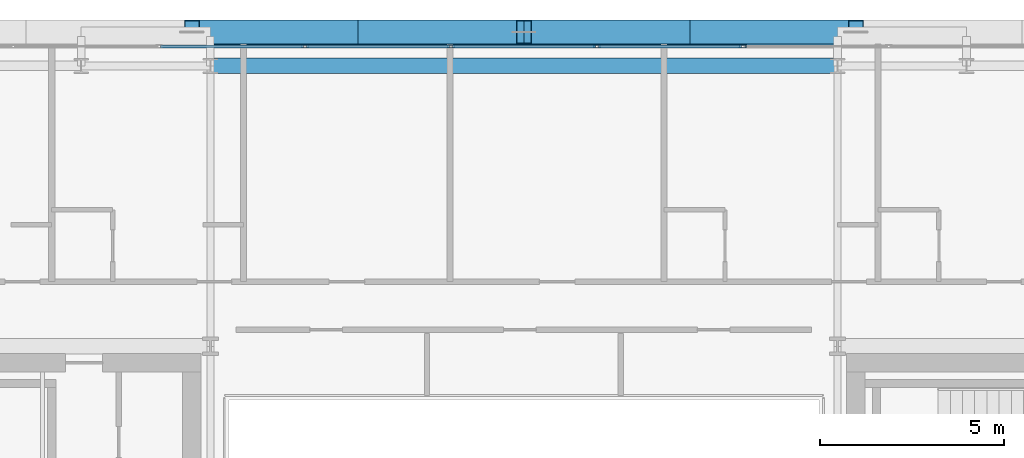
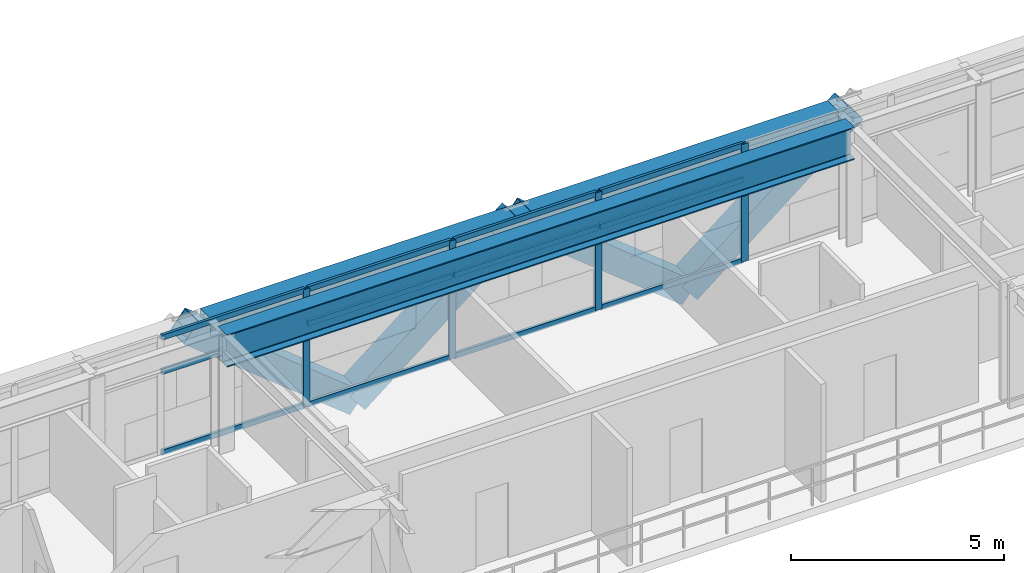
# One storey, part 17 of 32: 20 members, 2 beams, 1 element without a shape of its own.
"""IFC4 building model written with IfcOpenShell, lengths in metres."""

import ifcopenshell
import ifcopenshell.guid

model = None  # the IFC model being written
_history = None  # IfcOwnerHistory: only IFC2X3 demands one
_inside = {}  # id of a spatial element -> (the spatial element, [elements in it])
_under = {}  # id of a project, library or spatial element -> (it, [spatial elements below it])
_declared = {}  # id of a project -> (the project, [libraries it declares])
_typed = {}  # id of a type object -> (the type object, [elements of that type])
_made_of = {}  # id of a material, layer set ... -> (it, [elements and type objects made of it])


def new_model(schema):
    """Start an empty IFC model of exactly this schema.

    Asked for "IFC4X3", IfcOpenShell would pick the latest addendum, in which some entities
    have other attributes; the version numbers below select the first issue.
    IFC2X3 requires an IfcOwnerHistory on every rooted entity: one is made here for all.
    """
    global model, _history
    if schema == "IFC4X3":
        model = ifcopenshell.file(schema_version=(4, 3, 0, 0))
    else:
        model = ifcopenshell.file(schema=schema)
    _inside.clear()
    _under.clear()
    _declared.clear()
    _typed.clear()
    _made_of.clear()
    _history = None
    if model.schema == "IFC2X3":
        org = make("IfcOrganization", Name="unknown")
        user = make(
            "IfcPersonAndOrganization",
            ThePerson=make("IfcPerson", FamilyName="unknown"),
            TheOrganization=org,
        )
        app = make(
            "IfcApplication",
            ApplicationDeveloper=org,
            Version="unknown",
            ApplicationFullName="unknown",
            ApplicationIdentifier="unknown",
        )
        _history = make(
            "IfcOwnerHistory",
            OwningUser=user,
            OwningApplication=app,
            ChangeAction="ADDED",
            CreationDate=0,
        )
    return model


def make(cls, **values):
    """One entity of the class cls with the attributes given. An attribute that is None is left unset."""
    return model.create_entity(
        cls, **{name: value for name, value in values.items() if value is not None}
    )


def rooted(cls, **values):
    """An entity with a GlobalId (a new one), such as an element, a storey or a relation."""
    return make(cls, GlobalId=ifcopenshell.guid.new(), OwnerHistory=_history, **values)


def si_unit(unit_type, name, prefix=None):
    """IfcSIUnit, for example si_unit("LENGTHUNIT", "METRE", prefix="MILLI")."""
    return make("IfcSIUnit", UnitType=unit_type, Prefix=prefix, Name=name)


def assignment(units):
    """IfcUnitAssignment: the units of a project."""
    return None if units is None else make("IfcUnitAssignment", Units=units)


def point(xyz):
    """IfcCartesianPoint."""
    return None if xyz is None else make("IfcCartesianPoint", Coordinates=xyz)


def direction(xyz):
    """IfcDirection."""
    return None if xyz is None else make("IfcDirection", DirectionRatios=xyz)


def frame(location, z_axis=None, x_axis=None):
    """IfcAxis2Placement3D, a coordinate frame: its origin and axes. An axis left out is left unset."""
    return make(
        "IfcAxis2Placement3D",
        Location=point(location),
        Axis=direction(z_axis),
        RefDirection=direction(x_axis),
    )


def frame_2d(location, x_axis=None):
    """IfcAxis2Placement2D, a coordinate frame in the plane: its origin and x axis."""
    return make(
        "IfcAxis2Placement2D", Location=point(location), RefDirection=direction(x_axis)
    )


def origin():
    """The frame at (0, 0, 0) with its axes left unset."""
    return frame((0.0, 0.0, 0.0))


def origin_2d():
    """The frame at (0, 0) in the plane with its x axis left unset."""
    return frame_2d((0.0, 0.0))


def place(relative_to, where):
    """IfcLocalPlacement: puts the frame where relative to a parent placement (None: the world)."""
    return make(
        "IfcLocalPlacement", PlacementRelTo=relative_to, RelativePlacement=where
    )


def context(
    kind, dimensions, precision=None, world=None, true_north=None, identifier=None
):
    """IfcGeometricRepresentationContext, for example the 3D "Model" context."""
    return make(
        "IfcGeometricRepresentationContext",
        ContextIdentifier=identifier,
        ContextType=kind,
        CoordinateSpaceDimension=dimensions,
        Precision=precision,
        WorldCoordinateSystem=world,
        TrueNorth=true_north,
    )


def subcontext(parent, identifier, kind, view, scale=None):
    """IfcGeometricRepresentationSubContext, for example "Body" below "Model"."""
    return make(
        "IfcGeometricRepresentationSubContext",
        ContextIdentifier=identifier,
        ContextType=kind,
        ParentContext=parent,
        TargetScale=scale,
        TargetView=view,
    )


def project(units=None, contexts=None):
    """IfcProject with its units and contexts."""
    return rooted(
        "IfcProject",
        Name="project",
        RepresentationContexts=contexts,
        UnitsInContext=assignment(units),
    )


def spatial(cls, under=None, at=None, **own):
    """A site, building, storey or space (cls), placed at a placement, below another one or the project."""
    s = rooted(cls, ObjectPlacement=at, **own)
    if under is not None:
        _under.setdefault(under.id(), (under, []))[1].append(s)
    return s


def profile(cls, at=None, kind="AREA", **sizes):
    """A parametric profile (cls). Its sizes go by their IFC names, for example OverallWidth=200.0."""
    return make(cls, ProfileType=kind, Position=at, **sizes)


def hollow_rectangle(**sizes):
    """IfcRectangleHollowProfileDef."""
    return profile("IfcRectangleHollowProfileDef", **sizes)


def i_section(**sizes):
    """IfcIShapeProfileDef."""
    return profile("IfcIShapeProfileDef", **sizes)


def extrude(swept, where, along, depth):
    """IfcExtrudedAreaSolid: the profile swept, set in the frame where, extruded along a direction by depth."""
    return make(
        "IfcExtrudedAreaSolid",
        SweptArea=swept,
        Position=where,
        ExtrudedDirection=direction(along),
        Depth=depth,
    )


def shape(context_of_items, identifier, shape_type, items):
    """IfcShapeRepresentation: the items that make up one representation, for example the "Body"."""
    return make(
        "IfcShapeRepresentation",
        ContextOfItems=context_of_items,
        RepresentationIdentifier=identifier,
        RepresentationType=shape_type,
        Items=items,
    )


def source(mapping_origin, context_of_items, identifier, shape_type, items):
    """IfcRepresentationMap: a shape defined once, which mapped items show again and again."""
    return make(
        "IfcRepresentationMap",
        MappingOrigin=mapping_origin,
        MappedRepresentation=shape(context_of_items, identifier, shape_type, items),
    )


def transform(
    local_origin,
    x_axis=None,
    y_axis=None,
    z_axis=None,
    scale=None,
    scale2=None,
    scale3=None,
    uniform=True,
):
    """IfcCartesianTransformationOperator3D, or its non-uniform kind. x_axis, y_axis, z_axis: its Axis1, 2, 3."""
    if uniform:
        return make(
            "IfcCartesianTransformationOperator3D",
            Axis1=direction(x_axis),
            Axis2=direction(y_axis),
            LocalOrigin=point(local_origin),
            Scale=scale,
            Axis3=direction(z_axis),
        )
    return make(
        "IfcCartesianTransformationOperator3DnonUniform",
        Axis1=direction(x_axis),
        Axis2=direction(y_axis),
        LocalOrigin=point(local_origin),
        Scale=scale,
        Axis3=direction(z_axis),
        Scale2=scale2,
        Scale3=scale3,
    )


def mapped(mapping_source, mapping_target):
    """IfcMappedItem: shows the shape of a source again, moved by a transform."""
    return make(
        "IfcMappedItem", MappingSource=mapping_source, MappingTarget=mapping_target
    )


def material(Name=None, Category=None):
    """IfcMaterial."""
    return make("IfcMaterial", Name=Name, Category=Category)


def layer(
    of_material, thickness, ventilated=None, Name=None, Category=None, Priority=None
):
    """IfcMaterialLayer: one layer of a wall or slab, of a material (None: an air gap)."""
    return make(
        "IfcMaterialLayer",
        Material=of_material,
        LayerThickness=thickness,
        IsVentilated=ventilated,
        Name=Name,
        Category=Category,
        Priority=Priority,
    )


def layer_set(layers, Name=None):
    """IfcMaterialLayerSet."""
    return make("IfcMaterialLayerSet", MaterialLayers=layers, LayerSetName=Name)


def material_profile(
    of_material, cross_section, Name=None, Category=None, Priority=None
):
    """IfcMaterialProfile: a cross section and its material."""
    return make(
        "IfcMaterialProfile",
        Name=Name,
        Material=of_material,
        Profile=cross_section,
        Priority=Priority,
        Category=Category,
    )


def profile_set(profiles, Name=None, composite=None):
    """IfcMaterialProfileSet."""
    return make(
        "IfcMaterialProfileSet",
        Name=Name,
        MaterialProfiles=profiles,
        CompositeProfile=composite,
    )


def made_of(thing, what):
    """Note that an element or type object is made of a material, layer set ...; save() writes the relation."""
    if what is not None:
        _made_of.setdefault(what.id(), (what, []))[1].append(thing)
    return thing


def type_object(cls, material=None, **own):
    """A type object (cls), such as IfcWallType, which elements share."""
    return made_of(rooted(cls, **own), material)


def element(
    cls,
    number,
    at=None,
    inside=None,
    cuts=None,
    type_object=None,
    material=None,
    context=None,
    identifier="Body",
    shape_type=None,
    held_by="IfcProductDefinitionShape",
    body=None,
    shapes=None,
    **own,
):
    """One element of the class cls, such as IfcWall. Its Tag is "e" and its number.

    at: its placement. inside: the storey or other place that contains it. cuts: it is an
    opening in that element (IfcRelVoidsElement). A single representation is given by context,
    identifier, shape_type and body (its items); several are given by shapes. held_by: the class
    of the entity that holds the representations. save() writes the other relations.
    """
    e = rooted(cls, Tag="e%d" % number, ObjectPlacement=at, **own)
    if body is not None:
        shapes = [shape(context, identifier, shape_type, body)]
    if shapes is not None:
        e.Representation = make(held_by, Representations=shapes)
    if inside is not None:
        _inside.setdefault(inside.id(), (inside, []))[1].append(e)
    if cuts is not None:
        rooted(
            "IfcRelVoidsElement", RelatingBuildingElement=cuts, RelatedOpeningElement=e
        )
    if type_object is not None:
        _typed.setdefault(type_object.id(), (type_object, []))[1].append(e)
    return made_of(e, material)


def aggregate(whole, parts):
    """IfcRelAggregates: a whole, such as a stair, and the parts it consists of."""
    return rooted("IfcRelAggregates", RelatingObject=whole, RelatedObjects=parts)


def save(model, path):
    """Write the relations noted so far, then the file.

    IfcRelAggregates (storeys below a building ...), IfcRelContainedInSpatialStructure (elements
    in a storey), IfcRelDefinesByType, IfcRelAssociatesMaterial and IfcRelDeclares: one each for
    every whole, place, type object, material and project.
    """
    for whole, parts in _under.values():
        aggregate(whole, parts)
    for where, things in _inside.values():
        rooted(
            "IfcRelContainedInSpatialStructure",
            RelatedElements=things,
            RelatingStructure=where,
        )
    for kind, things in _typed.values():
        rooted("IfcRelDefinesByType", RelatedObjects=things, RelatingType=kind)
    for what, things in _made_of.values():
        rooted("IfcRelAssociatesMaterial", RelatedObjects=things, RelatingMaterial=what)
    for by, libraries in _declared.values():
        rooted("IfcRelDeclares", RelatingContext=by, RelatedDefinitions=libraries)
    model.write(path)


model = new_model("IFC4")

# Units and contexts
model_context = context("Model", 3, precision=1e-05, world=origin(), true_north=direction((0.0, 1.0)))
body_context = subcontext(model_context, "Body", "Model", "MODEL_VIEW")
ifc_project = project(units=[si_unit("LENGTHUNIT", "METRE"), si_unit("AREAUNIT", "SQUARE_METRE"), si_unit("VOLUMEUNIT", "CUBIC_METRE"), si_unit("PLANEANGLEUNIT", "RADIAN"), si_unit("MASSUNIT", "GRAM", prefix="KILO")], contexts=[model_context])

# Site, building, storey
site_placement = place(None, origin())
site = spatial("IfcSite", under=ifc_project, at=site_placement, CompositionType="ELEMENT")
building_placement = place(site_placement, origin())
building = spatial("IfcBuilding", under=site, at=building_placement, Name="Ocotamira Hotel", CompositionType="ELEMENT")
storey_placement = place(building_placement, frame((0.0, 0.0, 184.800048828125)))
storey = spatial("IfcBuildingStorey", under=building, at=storey_placement, Name="L46", CompositionType="ELEMENT", Elevation=184.800048828125)

# Beams
ifc_material_1 = material(Name="Steel ASTM A992 Grade 50", Category="steel")
ifc_material_profile_1 = material_profile(ifc_material_1, i_section(OverallWidth=0.41796875, OverallDepth=0.927001953125, WebThickness=0.019287109375, FlangeThickness=0.031982421875, FilletRadius=0.02392578125, at=origin_2d()), Name="W36X231")
ifc_profile_set_1 = profile_set([ifc_material_profile_1], Name="Steel ASTM A992 Grade 50")
beam_type_1 = type_object("IfcBeamType", Name="BM-GIRD-W36X231", PredefinedType="BEAM", material=ifc_profile_set_1)
shared_shape_1 = source(origin(), body_context, "Body", "SweptSolid", [
    extrude(i_section(OverallWidth=0.41796875, OverallDepth=0.927001953125, WebThickness=0.019287109375, FlangeThickness=0.031982421875, FilletRadius=0.02392578125, at=origin_2d()), origin(), (0.0, 0.0, 1.0), 17.0),
])
beam_1_placement = place(storey_placement, frame((23.5, 45.050048828125, 2.906494140625), z_axis=(1.0, 0.0, 0.0), x_axis=(0.0, 1.0, 0.0)))
element("IfcBeam", 1, at=beam_1_placement, inside=storey, type_object=beam_type_1, Name="L46 Girder Y45.05 X23.5-40.5", PredefinedType="BEAM", context=body_context, shape_type="MappedRepresentation", body=[
    mapped(shared_shape_1, transform((0.0, 0.0, 0.0), scale=1.0)),
])
ifc_material_2 = material(Name="Steel ASTM A500 Grade C", Category="steel")
ifc_material_profile_2 = material_profile(ifc_material_2, hollow_rectangle(XDim=0.5, YDim=0.5, WallThickness=0.02001953125, at=origin_2d()), Name="HSS500X500X20")
ifc_profile_set_2 = profile_set([ifc_material_profile_2], Name="Steel ASTM A500 Grade C")
beam_type_2 = type_object("IfcBeamType", Name="BM-SPAN-HSS500", PredefinedType="USERDEFINED", material=ifc_profile_set_2)
shared_shape_2 = source(origin(), body_context, "Body", "SweptSolid", [
    extrude(hollow_rectangle(XDim=0.5, YDim=0.5, WallThickness=0.02001953125, at=origin_2d()), origin(), (0.0, 0.0, 1.0), 17.0),
])
beam_2_placement = place(storey_placement, frame((23.5, 45.85009765625, 3.119873046875), z_axis=(1.0, 0.0, 0.0), x_axis=(0.0, 1.0, 0.0)))
element("IfcBeam", 2, at=beam_2_placement, inside=storey, type_object=beam_type_2, Name="L46 Edge Spandrel N X23.5-40.5", ObjectType="SPANDREL", PredefinedType="USERDEFINED", context=body_context, shape_type="MappedRepresentation", body=[
    mapped(shared_shape_2, transform((0.0, 0.0, 0.0), scale=1.0)),
])

# Members
ifc_material_3 = material(Name="Pale-metal coated steel ASTM A913 Grade 65", Category="steel")
ifc_material_profile_3 = material_profile(ifc_material_3, hollow_rectangle(XDim=0.64990234375, YDim=0.64990234375, WallThickness=0.02197265625, at=origin_2d()), Name="BOX650X650X22")
ifc_profile_set_3 = profile_set([ifc_material_profile_3], Name="Pale-metal coated steel ASTM A913 Grade 65")
member_type_1 = type_object("IfcMemberType", Name="MEM-EXO-BOX650", PredefinedType="BRACE", material=ifc_profile_set_3)
shared_shape_3 = source(origin(), body_context, "Body", "SweptSolid", [
    extrude(hollow_rectangle(XDim=0.64990234375, YDim=0.64990234375, WallThickness=0.02197265625, at=origin_2d()), origin(), (0.0, 0.0, 1.0), 5.7626953125),
])
for number, where, z_axis, x_axis, name in (
    (3, (27.5, 45.969970703125, -0.47998046875), (-0.780881208953, 0.0, 0.624679547852), (0.0, -1.0, 0.0), "L46 Exoskeleton Diagrid N1.1"),
    (4, (27.5, 45.969970703125, -0.47998046875), (0.780881208953, 0.0, 0.624679547852), (0.0, 1.0, 0.0), "L46 Exoskeleton Diagrid N1.2"),
    (5, (36.5, 45.969970703125, -0.47998046875), (-0.780881208953, 0.0, 0.624679547852), (0.0, -1.0, 0.0), "L46 Exoskeleton Diagrid N2.1"),
    (6, (36.5, 45.969970703125, -0.47998046875), (0.780881208953, 0.0, 0.624679547852), (0.0, 1.0, 0.0), "L46 Exoskeleton Diagrid N2.2"),
):
    element("IfcMember", number, at=place(storey_placement, frame(where, z_axis=z_axis, x_axis=x_axis)), inside=storey, type_object=member_type_1, Name=name, PredefinedType="BRACE", context=body_context, shape_type="MappedRepresentation", body=[
        mapped(shared_shape_3, transform((0.0, 0.0, 0.0), scale=1.0)),
    ])

# Curtain wall, members
ifc_material_4 = material(Name="Anodised pale-metal aluminium and solar glass", Category="aluminium")
ifc_layer = layer(ifc_material_4, 0.199951171875)
ifc_layer_set = layer_set([ifc_layer], Name="Anodised pale-metal aluminium and solar glass")
curtain_wall_type = type_object("IfcCurtainWallType", Name="CW-SYS4-Z3", PredefinedType="NOTDEFINED", material=ifc_layer_set)
curtain_wall_placement = place(storey_placement, origin())
curtain_wall = element("IfcCurtainWall", 7, at=curtain_wall_placement, inside=storey, type_object=curtain_wall_type, Name="L46 Curtain Wall CW-4 CW-L46-N", PredefinedType="NOTDEFINED")
ifc_material_5 = material(Name="Anodised pale-metal aluminium 6063-T6", Category="aluminium")
ifc_material_profile_4 = material_profile(ifc_material_5, hollow_rectangle(XDim=0.074951171875, YDim=0.14990234375, WallThickness=0.006103515625, at=origin_2d()), Name="HSS150X75X6")
ifc_profile_set_4 = profile_set([ifc_material_profile_4], Name="Anodised pale-metal aluminium 6063-T6")
member_type_2 = type_object("IfcMemberType", Name="CWT-150X75", PredefinedType="USERDEFINED", material=ifc_profile_set_4)
shared_shape_4 = source(origin(), body_context, "Body", "SweptSolid", [
    extrude(hollow_rectangle(XDim=0.074951171875, YDim=0.14990234375, WallThickness=0.006103515625, at=origin_2d()), origin(), (0.0, 0.0, 1.0), 3.87548828125),
])
member_1_placement = place(storey_placement, frame((22.151123046875, 45.580078125, 0.037353515625), z_axis=(1.0, 0.0, 0.0), x_axis=(0.0, 1.0, 0.0)))
member_1 = element("IfcMember", 8, at=member_1_placement, type_object=member_type_2, Name="CW-4 transom 3.1", ObjectType="TRANSOM", PredefinedType="USERDEFINED", context=body_context, shape_type="MappedRepresentation", body=[
    mapped(shared_shape_4, transform((0.0, 0.0, 0.0), scale=1.0)),
])
member_2_placement = place(storey_placement, frame((22.151123046875, 45.580078125, 2.349853515625), z_axis=(1.0, 0.0, 0.0), x_axis=(0.0, 1.0, 0.0)))
member_2 = element("IfcMember", 9, at=member_2_placement, type_object=member_type_2, Name="CW-4 transom 3.2", ObjectType="TRANSOM", PredefinedType="USERDEFINED", context=body_context, shape_type="MappedRepresentation", body=[
    mapped(shared_shape_4, transform((0.0, 0.0, 0.0), scale=1.0)),
])
member_3_placement = place(storey_placement, frame((22.151123046875, 45.580078125, 3.33251953125), z_axis=(1.0, 0.0, 0.0), x_axis=(0.0, 1.0, 0.0)))
member_3 = element("IfcMember", 10, at=member_3_placement, type_object=member_type_2, Name="CW-4 transom 3.3", ObjectType="TRANSOM", PredefinedType="USERDEFINED", context=body_context, shape_type="MappedRepresentation", body=[
    mapped(shared_shape_4, transform((0.0, 0.0, 0.0), scale=1.0)),
])
member_4_placement = place(storey_placement, frame((26.106689453125, 45.580078125, 0.037353515625), z_axis=(1.0, 0.0, 0.0), x_axis=(0.0, 1.0, 0.0)))
member_4 = element("IfcMember", 11, at=member_4_placement, type_object=member_type_2, Name="CW-4 transom 4.1", ObjectType="TRANSOM", PredefinedType="USERDEFINED", context=body_context, shape_type="MappedRepresentation", body=[
    mapped(shared_shape_4, transform((0.0, 0.0, 0.0), scale=1.0)),
])
member_5_placement = place(storey_placement, frame((26.106689453125, 45.580078125, 2.349853515625), z_axis=(1.0, 0.0, 0.0), x_axis=(0.0, 1.0, 0.0)))
member_5 = element("IfcMember", 12, at=member_5_placement, type_object=member_type_2, Name="CW-4 transom 4.2", ObjectType="TRANSOM", PredefinedType="USERDEFINED", context=body_context, shape_type="MappedRepresentation", body=[
    mapped(shared_shape_4, transform((0.0, 0.0, 0.0), scale=1.0)),
])
member_6_placement = place(storey_placement, frame((26.106689453125, 45.580078125, 3.33251953125), z_axis=(1.0, 0.0, 0.0), x_axis=(0.0, 1.0, 0.0)))
member_6 = element("IfcMember", 13, at=member_6_placement, type_object=member_type_2, Name="CW-4 transom 4.3", ObjectType="TRANSOM", PredefinedType="USERDEFINED", context=body_context, shape_type="MappedRepresentation", body=[
    mapped(shared_shape_4, transform((0.0, 0.0, 0.0), scale=1.0)),
])
member_7_placement = place(storey_placement, frame((30.062255859375, 45.580078125, 0.037353515625), z_axis=(1.0, 0.0, 0.0), x_axis=(0.0, 1.0, 0.0)))
member_7 = element("IfcMember", 14, at=member_7_placement, type_object=member_type_2, Name="CW-4 transom 5.1", ObjectType="TRANSOM", PredefinedType="USERDEFINED", context=body_context, shape_type="MappedRepresentation", body=[
    mapped(shared_shape_4, transform((0.0, 0.0, 0.0), scale=1.0)),
])
member_8_placement = place(storey_placement, frame((30.062255859375, 45.580078125, 2.349853515625), z_axis=(1.0, 0.0, 0.0), x_axis=(0.0, 1.0, 0.0)))
member_8 = element("IfcMember", 15, at=member_8_placement, type_object=member_type_2, Name="CW-4 transom 5.2", ObjectType="TRANSOM", PredefinedType="USERDEFINED", context=body_context, shape_type="MappedRepresentation", body=[
    mapped(shared_shape_4, transform((0.0, 0.0, 0.0), scale=1.0)),
])
member_9_placement = place(storey_placement, frame((30.062255859375, 45.580078125, 3.33251953125), z_axis=(1.0, 0.0, 0.0), x_axis=(0.0, 1.0, 0.0)))
member_9 = element("IfcMember", 16, at=member_9_placement, type_object=member_type_2, Name="CW-4 transom 5.3", ObjectType="TRANSOM", PredefinedType="USERDEFINED", context=body_context, shape_type="MappedRepresentation", body=[
    mapped(shared_shape_4, transform((0.0, 0.0, 0.0), scale=1.0)),
])
member_10_placement = place(storey_placement, frame((34.017822265625, 45.580078125, 0.037353515625), z_axis=(1.0, 0.0, 0.0), x_axis=(0.0, 1.0, 0.0)))
member_10 = element("IfcMember", 17, at=member_10_placement, type_object=member_type_2, Name="CW-4 transom 6.1", ObjectType="TRANSOM", PredefinedType="USERDEFINED", context=body_context, shape_type="MappedRepresentation", body=[
    mapped(shared_shape_4, transform((0.0, 0.0, 0.0), scale=1.0)),
])
member_11_placement = place(storey_placement, frame((34.017822265625, 45.580078125, 2.349853515625), z_axis=(1.0, 0.0, 0.0), x_axis=(0.0, 1.0, 0.0)))
member_11 = element("IfcMember", 18, at=member_11_placement, type_object=member_type_2, Name="CW-4 transom 6.2", ObjectType="TRANSOM", PredefinedType="USERDEFINED", context=body_context, shape_type="MappedRepresentation", body=[
    mapped(shared_shape_4, transform((0.0, 0.0, 0.0), scale=1.0)),
])
member_12_placement = place(storey_placement, frame((34.017822265625, 45.580078125, 3.33251953125), z_axis=(1.0, 0.0, 0.0), x_axis=(0.0, 1.0, 0.0)))
member_12 = element("IfcMember", 19, at=member_12_placement, type_object=member_type_2, Name="CW-4 transom 6.3", ObjectType="TRANSOM", PredefinedType="USERDEFINED", context=body_context, shape_type="MappedRepresentation", body=[
    mapped(shared_shape_4, transform((0.0, 0.0, 0.0), scale=1.0)),
])
ifc_material_profile_5 = material_profile(ifc_material_5, hollow_rectangle(XDim=0.080078125, YDim=0.179931640625, WallThickness=0.006103515625, at=origin_2d()), Name="HSS180X80X6")
ifc_profile_set_5 = profile_set([ifc_material_profile_5], Name="Anodised pale-metal aluminium 6063-T6")
member_type_3 = type_object("IfcMemberType", Name="CWM-180X75", PredefinedType="MULLION", material=ifc_profile_set_5)
shared_shape_5 = source(origin(), body_context, "Body", "SweptSolid", [
    extrude(hollow_rectangle(XDim=0.080078125, YDim=0.179931640625, WallThickness=0.006103515625, at=origin_2d()), origin(), (0.0, 0.0, 1.0), 3.369873046875),
])
member_13_placement = place(storey_placement, frame((26.066650390625, 45.580078125, 0.0), z_axis=(0.0, 0.0, 1.0), x_axis=(0.0, 1.0, 0.0)))
member_13 = element("IfcMember", 20, at=member_13_placement, type_object=member_type_3, Name="CW-4 mullion 4", PredefinedType="MULLION", context=body_context, shape_type="MappedRepresentation", body=[
    mapped(shared_shape_5, transform((0.0, 0.0, 0.0), scale=1.0)),
])
member_14_placement = place(storey_placement, frame((30.022216796875, 45.580078125, 0.0), z_axis=(0.0, 0.0, 1.0), x_axis=(0.0, 1.0, 0.0)))
member_14 = element("IfcMember", 21, at=member_14_placement, type_object=member_type_3, Name="CW-4 mullion 5", PredefinedType="MULLION", context=body_context, shape_type="MappedRepresentation", body=[
    mapped(shared_shape_5, transform((0.0, 0.0, 0.0), scale=1.0)),
])
member_15_placement = place(storey_placement, frame((33.977783203125, 45.580078125, 0.0), z_axis=(0.0, 0.0, 1.0), x_axis=(0.0, 1.0, 0.0)))
member_15 = element("IfcMember", 22, at=member_15_placement, type_object=member_type_3, Name="CW-4 mullion 6", PredefinedType="MULLION", context=body_context, shape_type="MappedRepresentation", body=[
    mapped(shared_shape_5, transform((0.0, 0.0, 0.0), scale=1.0)),
])
member_16_placement = place(storey_placement, frame((37.933349609375, 45.580078125, 0.0), z_axis=(0.0, 0.0, 1.0), x_axis=(0.0, 1.0, 0.0)))
member_16 = element("IfcMember", 23, at=member_16_placement, type_object=member_type_3, Name="CW-4 mullion 7", PredefinedType="MULLION", context=body_context, shape_type="MappedRepresentation", body=[
    mapped(shared_shape_5, transform((0.0, 0.0, 0.0), scale=1.0)),
])
aggregate(curtain_wall, [member_13, member_14, member_15, member_16, member_1, member_2, member_3, member_4, member_5, member_6, member_7, member_8, member_9, member_10, member_11, member_12])

save(model, "model.ifc")
